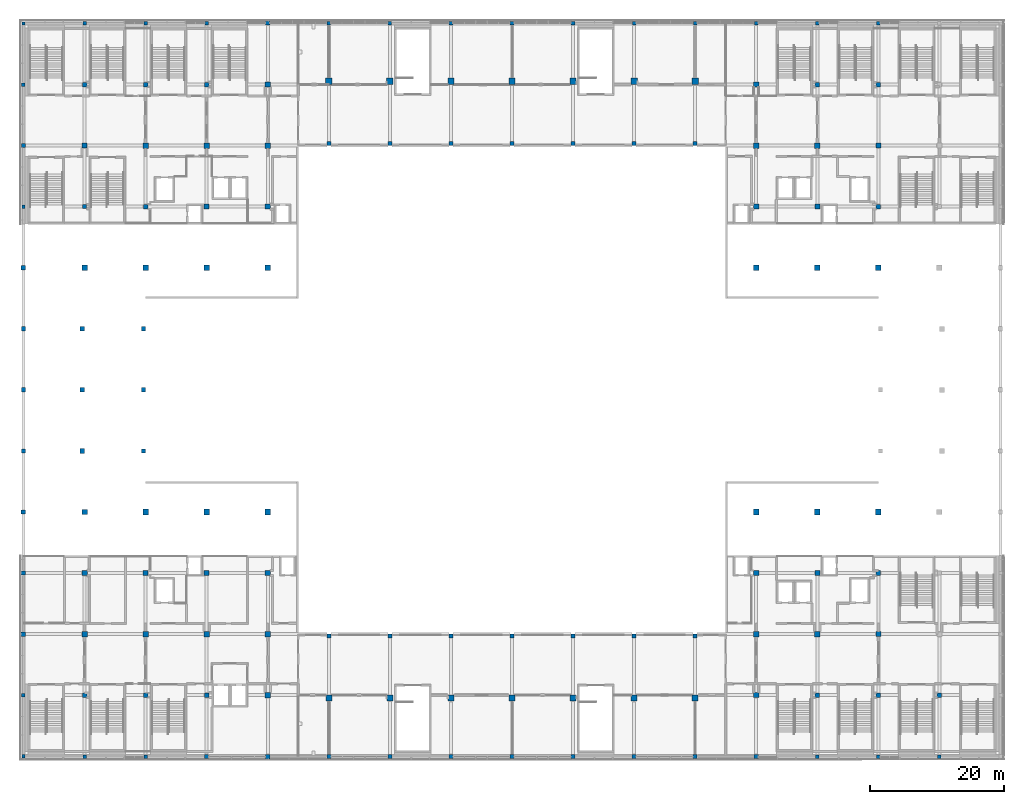
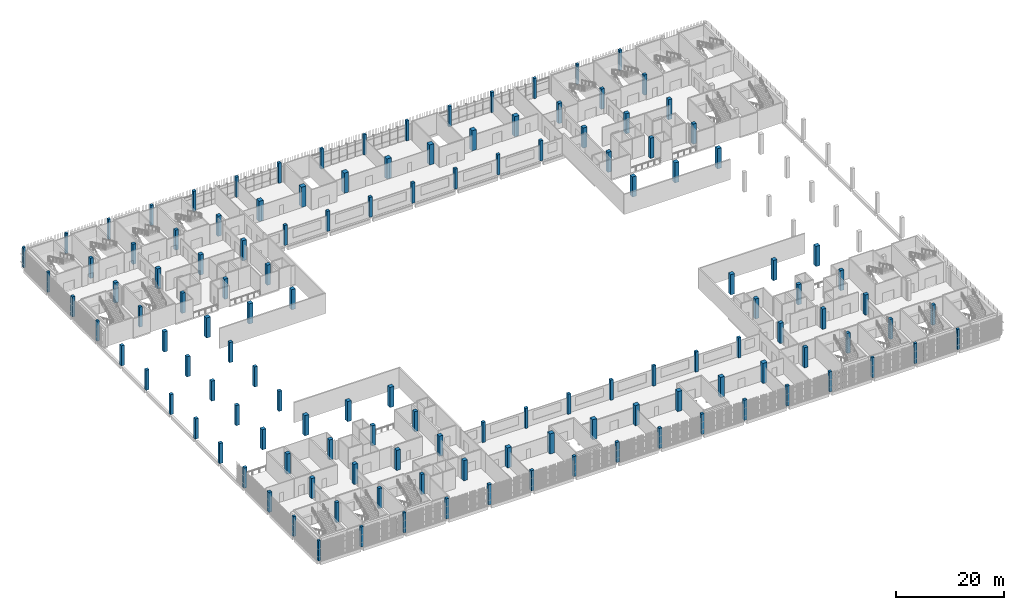
# One storey, part 1 of 104: 133 columns.
"""IFC4 building model written with IfcOpenShell, lengths in metres."""

from ifc_helpers import new_model, si_unit, direction, frame, origin, origin_2d, place, context, subcontext, project, spatial, rectangle, extrude, material, material_profile, profile_set, type_object, element, save


model = new_model("IFC4")

# Units and contexts
model_context = context("Model", 3, precision=1e-05, world=origin(), true_north=direction((0.0, 1.0)))
body_context = subcontext(model_context, "Body", "Model", "MODEL_VIEW")
ifc_project = project(units=[si_unit("LENGTHUNIT", "METRE"), si_unit("AREAUNIT", "SQUARE_METRE"), si_unit("VOLUMEUNIT", "CUBIC_METRE"), si_unit("PLANEANGLEUNIT", "RADIAN"), si_unit("MASSUNIT", "GRAM", prefix="KILO")], contexts=[model_context])

# Site, building, storey
site_placement = place(None, origin())
site = spatial("IfcSite", under=ifc_project, at=site_placement, CompositionType="ELEMENT")
building_placement = place(site_placement, origin())
building = spatial("IfcBuilding", under=site, at=building_placement, Name="Shirokan Park Arena", CompositionType="ELEMENT")
storey_placement = place(building_placement, frame((0.0, 0.0, 10.919921875)))
storey = spatial("IfcBuildingStorey", under=building, at=storey_placement, Name="L02", CompositionType="ELEMENT", Elevation=10.919921875)

# Columns
ifc_material = material(Name="Concrete C35", Category="concrete")
ifc_material_profile_1 = material_profile(ifc_material, rectangle(XDim=0.5, YDim=0.5, at=origin_2d()), Name="500x500")
ifc_profile_set_1 = profile_set([ifc_material_profile_1], Name="Concrete C35")
column_type_1 = type_object("IfcColumnType", Name="RC column 500x500", PredefinedType="COLUMN", material=ifc_profile_set_1)
for number, where, z_axis, x_axis, name in (
    (1, (0.0, 0.0, 0.0), (0.0, 0.0, 1.0), (1.0, 0.0, 0.0), "Column 1A L02"),
    (2, (-0.050048828125, 9.10009765625, 0.0), (0.0, 0.0, 1.0), (1.0, 0.0, 0.0), "Column 1B L02"),
    (3, (0.0, 81.89990234375, 0.0), (0.0, 0.0, 1.0), (1.0, 0.0, 0.0), "Column 1K L02"),
    (4, (-0.02490234375, 100.10009765625, 0.0), (0.0, 0.0, 1.0), (1.0, 0.0, 0.0), "Column 1M L02"),
    (5, (0.0, 109.199951171875, 0.0), (0.0, 0.0, 1.0), (1.0, 0.0, 0.0), "Column 1N L02"),
    (6, (9.10009765625, -0.050048828125, 0.0), (0.0, 0.0, 1.0), (1.0, 0.0, 0.0), "Column 2A L02"),
    (7, (9.10009765625, 109.22509765625, 0.0), (0.0, 0.0, 1.0), (1.0, 0.0, 0.0), "Column 2N L02"),
    (8, (18.199951171875, -0.050048828125, 0.0), (0.0, 0.0, 1.0), (1.0, 0.0, 0.0), "Column 3A L02"),
    (9, (18.199951171875, 109.22509765625, 0.0), (0.0, 0.0, 1.0), (1.0, 0.0, 0.0), "Column 3N L02"),
    (10, (27.300048828125, 109.22509765625, 0.0), (0.0, 0.0, 1.0), (1.0, 0.0, 0.0), "Column 4N L02"),
    (11, (118.300048828125, -0.050048828125, 0.0), (0.0, 0.0, 1.0), (1.0, 0.0, 0.0), "Column 14A L02"),
    (12, (118.300048828125, 109.22509765625, 0.0), (0.0, 0.0, 1.0), (1.0, 0.0, 0.0), "Column 14N L02"),
    (13, (127.39990234375, -0.050048828125, 0.0), (0.0, 0.0, 1.0), (1.0, 0.0, 0.0), "Column 15A L02"),
    (14, (127.39990234375, 109.22509765625, 0.0), (0.0, 0.0, 1.0), (1.0, 0.0, 0.0), "Column 15N L02"),
    (15, (136.5, -0.050048828125, 0.0), (0.0, 0.0, 1.0), (1.0, 0.0, 0.0), "Column 16A L02"),
):
    element("IfcColumn", number, at=place(storey_placement, frame(where, z_axis=z_axis, x_axis=x_axis)), inside=storey, type_object=column_type_1, Name=name, PredefinedType="COLUMN", context=body_context, shape_type="SweptSolid", body=[
        extrude(rectangle(XDim=0.5, YDim=0.5, at=origin_2d()), origin(), (0.0, 0.0, 1.0), 4.550048828125),
    ])
ifc_material_profile_2 = material_profile(ifc_material, rectangle(XDim=0.550048828125, YDim=0.550048828125, at=origin_2d()), Name="550x550")
ifc_profile_set_2 = profile_set([ifc_material_profile_2], Name="Concrete C35")
column_type_2 = type_object("IfcColumnType", Name="RC column 550x550", PredefinedType="COLUMN", material=ifc_profile_set_2)
for number, where, z_axis, x_axis, name in (
    (16, (45.5, 109.25, 0.0), (0.0, 0.0, 1.0), (1.0, 0.0, 0.0), "Column 6N L02"),
    (17, (54.60009765625, 109.22509765625, 0.0), (0.0, 0.0, 1.0), (1.0, 0.0, 0.0), "Column 7N L02"),
    (18, (63.699951171875, 109.25, 0.0), (0.0, 0.0, 1.0), (1.0, 0.0, 0.0), "Column 8N L02"),
    (19, (72.800048828125, 109.25, 0.0), (0.0, 0.0, 1.0), (1.0, 0.0, 0.0), "Column 9N L02"),
    (20, (81.89990234375, 109.22509765625, 0.0), (0.0, 0.0, 1.0), (1.0, 0.0, 0.0), "Column 10N L02"),
    (21, (91.0, 109.25, 0.0), (0.0, 0.0, 1.0), (1.0, 0.0, 0.0), "Column 11N L02"),
    (22, (100.10009765625, 109.25, 0.0), (0.0, 0.0, 1.0), (1.0, 0.0, 0.0), "Column 12N L02"),
    (23, (109.199951171875, 109.25, 0.0), (0.0, 0.0, 1.0), (1.0, 0.0, 0.0), "Column 13N L02"),
):
    element("IfcColumn", number, at=place(storey_placement, frame(where, z_axis=z_axis, x_axis=x_axis)), inside=storey, type_object=column_type_2, Name=name, PredefinedType="COLUMN", context=body_context, shape_type="SweptSolid", body=[
        extrude(rectangle(XDim=0.550048828125, YDim=0.550048828125, at=origin_2d()), origin(), (0.0, 0.0, 1.0), 4.550048828125),
    ])
ifc_material_profile_3 = material_profile(ifc_material, rectangle(XDim=0.60009765625, YDim=0.60009765625, at=origin_2d()), Name="600x600")
ifc_profile_set_3 = profile_set([ifc_material_profile_3], Name="Concrete C35")
column_type_3 = type_object("IfcColumnType", Name="RC column 600x600", PredefinedType="COLUMN", material=ifc_profile_set_3)
for number, where, z_axis, x_axis, name in (
    (24, (-0.02490234375, 91.0, 0.0), (0.0, 0.0, 1.0), (1.0, 0.0, 0.0), "Column 1L L02"),
    (25, (9.10009765625, 81.89990234375, 0.0), (0.0, 0.0, 1.0), (1.0, 0.0, 0.0), "Column 2K L02"),
    (26, (27.300048828125, -0.050048828125, 0.0), (0.0, 0.0, 1.0), (1.0, 0.0, 0.0), "Column 4A L02"),
    (27, (36.39990234375, 109.25, 0.0), (0.0, 0.0, 1.0), (1.0, 0.0, 0.0), "Column 5N L02"),
    (28, (45.5, -0.050048828125, 0.0), (0.0, 0.0, 1.0), (1.0, 0.0, 0.0), "Column 6A L02"),
    (29, (45.5, 17.89990234375, 0.0), (0.0, 0.0, 1.0), (1.0, 0.0, 0.0), "Column 6C L02"),
    (30, (45.5, 91.300048828125, 0.0), (0.0, 0.0, 1.0), (1.0, 0.0, 0.0), "Column 6L L02"),
    (31, (54.60009765625, -0.02490234375, 0.0), (0.0, 0.0, 1.0), (1.0, 0.0, 0.0), "Column 7A L02"),
    (32, (54.60009765625, 17.89990234375, 0.0), (0.0, 0.0, 1.0), (1.0, 0.0, 0.0), "Column 7C L02"),
    (33, (54.60009765625, 91.300048828125, 0.0), (0.0, 0.0, 1.0), (1.0, 0.0, 0.0), "Column 7L L02"),
    (34, (63.699951171875, -0.050048828125, 0.0), (0.0, 0.0, 1.0), (1.0, 0.0, 0.0), "Column 8A L02"),
    (35, (63.699951171875, 17.89990234375, 0.0), (0.0, 0.0, 1.0), (1.0, 0.0, 0.0), "Column 8C L02"),
    (36, (63.699951171875, 91.300048828125, 0.0), (0.0, 0.0, 1.0), (1.0, 0.0, 0.0), "Column 8L L02"),
    (37, (72.800048828125, -0.050048828125, 0.0), (0.0, 0.0, 1.0), (1.0, 0.0, 0.0), "Column 9A L02"),
    (38, (72.800048828125, 17.89990234375, 0.0), (0.0, 0.0, 1.0), (1.0, 0.0, 0.0), "Column 9C L02"),
    (39, (72.800048828125, 91.300048828125, 0.0), (0.0, 0.0, 1.0), (1.0, 0.0, 0.0), "Column 9L L02"),
    (40, (81.89990234375, -0.02490234375, 0.0), (0.0, 0.0, 1.0), (1.0, 0.0, 0.0), "Column 10A L02"),
    (41, (81.89990234375, 17.89990234375, 0.0), (0.0, 0.0, 1.0), (1.0, 0.0, 0.0), "Column 10C L02"),
    (42, (81.89990234375, 91.300048828125, 0.0), (0.0, 0.0, 1.0), (1.0, 0.0, 0.0), "Column 10L L02"),
    (43, (91.0, -0.050048828125, 0.0), (0.0, 0.0, 1.0), (1.0, 0.0, 0.0), "Column 11A L02"),
    (44, (91.0, 17.89990234375, 0.0), (0.0, 0.0, 1.0), (1.0, 0.0, 0.0), "Column 11C L02"),
    (45, (91.0, 91.300048828125, 0.0), (0.0, 0.0, 1.0), (1.0, 0.0, 0.0), "Column 11L L02"),
    (46, (100.10009765625, -0.050048828125, 0.0), (0.0, 0.0, 1.0), (1.0, 0.0, 0.0), "Column 12A L02"),
    (47, (100.10009765625, 17.89990234375, 0.0), (0.0, 0.0, 1.0), (1.0, 0.0, 0.0), "Column 12C L02"),
    (48, (100.10009765625, 91.300048828125, 0.0), (0.0, 0.0, 1.0), (1.0, 0.0, 0.0), "Column 12L L02"),
    (49, (109.199951171875, -0.050048828125, 0.0), (0.0, 0.0, 1.0), (1.0, 0.0, 0.0), "Column 13A L02"),
):
    element("IfcColumn", number, at=place(storey_placement, frame(where, z_axis=z_axis, x_axis=x_axis)), inside=storey, type_object=column_type_3, Name=name, PredefinedType="COLUMN", context=body_context, shape_type="SweptSolid", body=[
        extrude(rectangle(XDim=0.60009765625, YDim=0.60009765625, at=origin_2d()), origin(), (0.0, 0.0, 1.0), 4.550048828125),
    ])
ifc_material_profile_4 = material_profile(ifc_material, rectangle(XDim=0.64990234375, YDim=0.64990234375, at=origin_2d()), Name="650x650")
ifc_profile_set_4 = profile_set([ifc_material_profile_4], Name="Concrete C35")
column_type_4 = type_object("IfcColumnType", Name="RC column 650x650", PredefinedType="COLUMN", material=ifc_profile_set_4)
for number, where, z_axis, x_axis, name in (
    (50, (-0.050048828125, 18.199951171875, 0.0), (0.0, 0.0, 1.0), (1.0, 0.0, 0.0), "Column 1C L02"),
    (51, (-0.050048828125, 27.300048828125, 0.0), (0.0, 0.0, 1.0), (1.0, 0.0, 0.0), "Column 1D L02"),
    (52, (-0.02490234375, 36.39990234375, 0.0), (0.0, 0.0, 1.0), (1.0, 0.0, 0.0), "Column 1E L02"),
    (53, (0.0, 45.5, 0.0), (0.0, 0.0, 1.0), (1.0, 0.0, 0.0), "Column 1F L02"),
    (54, (0.0, 54.60009765625, 0.0), (0.0, 0.0, 1.0), (1.0, 0.0, 0.0), "Column 1G L02"),
    (55, (0.0, 63.699951171875, 0.0), (0.0, 0.0, 1.0), (1.0, 0.0, 0.0), "Column 1H L02"),
    (56, (-0.02490234375, 72.800048828125, 0.0), (0.0, 0.0, 1.0), (1.0, 0.0, 0.0), "Column 1J L02"),
    (57, (9.10009765625, 9.10009765625, 0.0), (0.0, 0.0, 1.0), (1.0, 0.0, 0.0), "Column 2B L02"),
    (58, (9.10009765625, 100.10009765625, 0.0), (0.0, 0.0, 1.0), (1.0, 0.0, 0.0), "Column 2M L02"),
    (59, (18.199951171875, 9.10009765625, 0.0), (0.0, 0.0, 1.0), (1.0, 0.0, 0.0), "Column 3B L02"),
    (60, (17.875, 45.5, 0.0), (0.0, 0.0, 1.0), (1.0, 0.0, 0.0), "Column 3F L02"),
    (61, (17.875, 54.60009765625, 0.0), (0.0, 0.0, 1.0), (1.0, 0.0, 0.0), "Column 3G L02"),
    (62, (17.875, 63.699951171875, 0.0), (0.0, 0.0, 1.0), (1.0, 0.0, 0.0), "Column 3H L02"),
    (63, (18.199951171875, 100.10009765625, 0.0), (0.0, 0.0, 1.0), (1.0, 0.0, 0.0), "Column 3M L02"),
    (64, (27.300048828125, 100.10009765625, 0.0), (0.0, 0.0, 1.0), (1.0, 0.0, 0.0), "Column 4M L02"),
    (65, (36.39990234375, -0.050048828125, 0.0), (0.0, 0.0, 1.0), (1.0, 0.0, 0.0), "Column 5A L02"),
    (66, (118.300048828125, 9.10009765625, 0.0), (0.0, 0.0, 1.0), (1.0, 0.0, 0.0), "Column 14B L02"),
    (67, (118.300048828125, 100.10009765625, 0.0), (0.0, 0.0, 1.0), (1.0, 0.0, 0.0), "Column 14M L02"),
    (68, (127.39990234375, 9.10009765625, 0.0), (0.0, 0.0, 1.0), (1.0, 0.0, 0.0), "Column 15B L02"),
    (69, (127.39990234375, 100.10009765625, 0.0), (0.0, 0.0, 1.0), (1.0, 0.0, 0.0), "Column 15M L02"),
    (70, (136.5, 9.10009765625, 0.0), (0.0, 0.0, 1.0), (1.0, 0.0, 0.0), "Column 16B L02"),
):
    element("IfcColumn", number, at=place(storey_placement, frame(where, z_axis=z_axis, x_axis=x_axis)), inside=storey, type_object=column_type_4, Name=name, PredefinedType="COLUMN", context=body_context, shape_type="SweptSolid", body=[
        extrude(rectangle(XDim=0.64990234375, YDim=0.64990234375, at=origin_2d()), origin(), (0.0, 0.0, 1.0), 4.550048828125),
    ])
ifc_material_profile_5 = material_profile(ifc_material, rectangle(XDim=0.699951171875, YDim=0.699951171875, at=origin_2d()), Name="700x700")
ifc_profile_set_5 = profile_set([ifc_material_profile_5], Name="Concrete C35")
column_type_5 = type_object("IfcColumnType", Name="RC column 700x700", PredefinedType="COLUMN", material=ifc_profile_set_5)
for number, where, z_axis, x_axis, name in (
    (71, (8.75, 45.5, 0.0), (0.0, 0.0, 1.0), (1.0, 0.0, 0.0), "Column 2F L02"),
    (72, (8.75, 54.60009765625, 0.0), (0.0, 0.0, 1.0), (1.0, 0.0, 0.0), "Column 2G L02"),
    (73, (8.75, 63.699951171875, 0.0), (0.0, 0.0, 1.0), (1.0, 0.0, 0.0), "Column 2H L02"),
    (74, (18.199951171875, 81.89990234375, 0.0), (0.0, 0.0, 1.0), (1.0, 0.0, 0.0), "Column 3K L02"),
    (75, (27.300048828125, 9.10009765625, 0.0), (0.0, 0.0, 1.0), (1.0, 0.0, 0.0), "Column 4B L02"),
    (76, (127.39990234375, 27.300048828125, 0.0), (0.0, 0.0, 1.0), (1.0, 0.0, 0.0), "Column 15D L02"),
    (77, (127.39990234375, 81.89990234375, 0.0), (0.0, 0.0, 1.0), (1.0, 0.0, 0.0), "Column 15K L02"),
):
    element("IfcColumn", number, at=place(storey_placement, frame(where, z_axis=z_axis, x_axis=x_axis)), inside=storey, type_object=column_type_5, Name=name, PredefinedType="COLUMN", context=body_context, shape_type="SweptSolid", body=[
        extrude(rectangle(XDim=0.699951171875, YDim=0.699951171875, at=origin_2d()), origin(), (0.0, 0.0, 1.0), 4.550048828125),
    ])
ifc_material_profile_6 = material_profile(ifc_material, rectangle(XDim=0.75, YDim=0.75, at=origin_2d()), Name="750x750")
ifc_profile_set_6 = profile_set([ifc_material_profile_6], Name="Concrete C35")
column_type_6 = type_object("IfcColumnType", Name="RC column 750x750", PredefinedType="COLUMN", material=ifc_profile_set_6)
for number, where, z_axis, x_axis, name in (
    (78, (9.10009765625, 91.0, 0.0), (0.0, 0.0, 1.0), (1.0, 0.0, 0.0), "Column 2L L02"),
    (79, (18.199951171875, 27.300048828125, 0.0), (0.0, 0.0, 1.0), (1.0, 0.0, 0.0), "Column 3D L02"),
    (80, (27.300048828125, 27.300048828125, 0.0), (0.0, 0.0, 1.0), (1.0, 0.0, 0.0), "Column 4D L02"),
    (81, (27.300048828125, 81.89990234375, 0.0), (0.0, 0.0, 1.0), (1.0, 0.0, 0.0), "Column 4K L02"),
    (82, (36.39990234375, 27.300048828125, 0.0), (0.0, 0.0, 1.0), (1.0, 0.0, 0.0), "Column 5D L02"),
    (83, (36.39990234375, 81.89990234375, 0.0), (0.0, 0.0, 1.0), (1.0, 0.0, 0.0), "Column 5K L02"),
    (84, (36.39990234375, 100.10009765625, 0.0), (0.0, 0.0, 1.0), (1.0, 0.0, 0.0), "Column 5M L02"),
    (85, (109.199951171875, 9.10009765625, 0.0), (0.0, 0.0, 1.0), (1.0, 0.0, 0.0), "Column 13B L02"),
    (86, (109.199951171875, 27.300048828125, 0.0), (0.0, 0.0, 1.0), (1.0, 0.0, 0.0), "Column 13D L02"),
    (87, (109.199951171875, 81.89990234375, 0.0), (0.0, 0.0, 1.0), (1.0, 0.0, 0.0), "Column 13K L02"),
    (88, (109.199951171875, 100.10009765625, 0.0), (0.0, 0.0, 1.0), (1.0, 0.0, 0.0), "Column 13M L02"),
    (89, (118.300048828125, 27.300048828125, 0.0), (0.0, 0.0, 1.0), (1.0, 0.0, 0.0), "Column 14D L02"),
    (90, (118.300048828125, 81.89990234375, 0.0), (0.0, 0.0, 1.0), (1.0, 0.0, 0.0), "Column 14K L02"),
    (91, (127.39990234375, 18.199951171875, 0.0), (0.0, 0.0, 1.0), (1.0, 0.0, 0.0), "Column 15C L02"),
    (92, (127.39990234375, 91.0, 0.0), (0.0, 0.0, 1.0), (1.0, 0.0, 0.0), "Column 15L L02"),
):
    element("IfcColumn", number, at=place(storey_placement, frame(where, z_axis=z_axis, x_axis=x_axis)), inside=storey, type_object=column_type_6, Name=name, PredefinedType="COLUMN", context=body_context, shape_type="SweptSolid", body=[
        extrude(rectangle(XDim=0.75, YDim=0.75, at=origin_2d()), origin(), (0.0, 0.0, 1.0), 4.550048828125),
    ])
ifc_material_profile_7 = material_profile(ifc_material, rectangle(XDim=0.800048828125, YDim=0.800048828125, at=origin_2d()), Name="800x800")
ifc_profile_set_7 = profile_set([ifc_material_profile_7], Name="Concrete C35")
column_type_7 = type_object("IfcColumnType", Name="RC column 800x800", PredefinedType="COLUMN", material=ifc_profile_set_7)
for number, where, z_axis, x_axis, name in (
    (93, (9.10009765625, 18.199951171875, 0.0), (0.0, 0.0, 1.0), (1.0, 0.0, 0.0), "Column 2C L02"),
    (94, (9.10009765625, 27.300048828125, 0.0), (0.0, 0.0, 1.0), (1.0, 0.0, 0.0), "Column 2D L02"),
    (95, (9.10009765625, 36.39990234375, 0.0), (0.0, 0.0, 1.0), (1.0, 0.0, 0.0), "Column 2E L02"),
    (96, (9.10009765625, 72.800048828125, 0.0), (0.0, 0.0, 1.0), (1.0, 0.0, 0.0), "Column 2J L02"),
    (97, (18.199951171875, 18.199951171875, 0.0), (0.0, 0.0, 1.0), (1.0, 0.0, 0.0), "Column 3C L02"),
    (98, (18.199951171875, 91.0, 0.0), (0.0, 0.0, 1.0), (1.0, 0.0, 0.0), "Column 3L L02"),
    (99, (27.300048828125, 18.199951171875, 0.0), (0.0, 0.0, 1.0), (1.0, 0.0, 0.0), "Column 4C L02"),
    (100, (27.300048828125, 91.0, 0.0), (0.0, 0.0, 1.0), (1.0, 0.0, 0.0), "Column 4L L02"),
    (101, (36.39990234375, 9.10009765625, 0.0), (0.0, 0.0, 1.0), (1.0, 0.0, 0.0), "Column 5B L02"),
    (102, (36.39990234375, 18.199951171875, 0.0), (0.0, 0.0, 1.0), (1.0, 0.0, 0.0), "Column 5C L02"),
    (103, (36.39990234375, 91.0, 0.0), (0.0, 0.0, 1.0), (1.0, 0.0, 0.0), "Column 5L L02"),
    (104, (109.199951171875, 18.199951171875, 0.0), (0.0, 0.0, 1.0), (1.0, 0.0, 0.0), "Column 13C L02"),
    (105, (109.199951171875, 91.0, 0.0), (0.0, 0.0, 1.0), (1.0, 0.0, 0.0), "Column 13L L02"),
    (106, (118.300048828125, 18.199951171875, 0.0), (0.0, 0.0, 1.0), (1.0, 0.0, 0.0), "Column 14C L02"),
    (107, (118.300048828125, 91.0, 0.0), (0.0, 0.0, 1.0), (1.0, 0.0, 0.0), "Column 14L L02"),
):
    element("IfcColumn", number, at=place(storey_placement, frame(where, z_axis=z_axis, x_axis=x_axis)), inside=storey, type_object=column_type_7, Name=name, PredefinedType="COLUMN", context=body_context, shape_type="SweptSolid", body=[
        extrude(rectangle(XDim=0.800048828125, YDim=0.800048828125, at=origin_2d()), origin(), (0.0, 0.0, 1.0), 4.550048828125),
    ])
ifc_material_profile_8 = material_profile(ifc_material, rectangle(XDim=0.85009765625, YDim=0.85009765625, at=origin_2d()), Name="850x850")
ifc_profile_set_8 = profile_set([ifc_material_profile_8], Name="Concrete C35")
column_type_8 = type_object("IfcColumnType", Name="RC column 850x850", PredefinedType="COLUMN", material=ifc_profile_set_8)
for number, where, z_axis, x_axis, name in (
    (108, (18.199951171875, 36.39990234375, 0.0), (0.0, 0.0, 1.0), (1.0, 0.0, 0.0), "Column 3E L02"),
    (109, (18.199951171875, 72.800048828125, 0.0), (0.0, 0.0, 1.0), (1.0, 0.0, 0.0), "Column 3J L02"),
    (110, (27.300048828125, 36.39990234375, 0.0), (0.0, 0.0, 1.0), (1.0, 0.0, 0.0), "Column 4E L02"),
    (111, (27.300048828125, 72.800048828125, 0.0), (0.0, 0.0, 1.0), (1.0, 0.0, 0.0), "Column 4J L02"),
    (112, (36.39990234375, 36.39990234375, 0.0), (0.0, 0.0, 1.0), (1.0, 0.0, 0.0), "Column 5E L02"),
    (113, (36.39990234375, 72.800048828125, 0.0), (0.0, 0.0, 1.0), (1.0, 0.0, 0.0), "Column 5J L02"),
    (114, (109.199951171875, 36.39990234375, 0.0), (0.0, 0.0, 1.0), (1.0, 0.0, 0.0), "Column 13E L02"),
    (115, (109.199951171875, 72.800048828125, 0.0), (0.0, 0.0, 1.0), (1.0, 0.0, 0.0), "Column 13J L02"),
    (116, (118.300048828125, 36.39990234375, 0.0), (0.0, 0.0, 1.0), (1.0, 0.0, 0.0), "Column 14E L02"),
    (117, (118.300048828125, 72.800048828125, 0.0), (0.0, 0.0, 1.0), (1.0, 0.0, 0.0), "Column 14J L02"),
    (118, (127.39990234375, 36.39990234375, 0.0), (0.0, 0.0, 1.0), (1.0, 0.0, 0.0), "Column 15E L02"),
    (119, (127.39990234375, 72.800048828125, 0.0), (0.0, 0.0, 1.0), (1.0, 0.0, 0.0), "Column 15J L02"),
):
    element("IfcColumn", number, at=place(storey_placement, frame(where, z_axis=z_axis, x_axis=x_axis)), inside=storey, type_object=column_type_8, Name=name, PredefinedType="COLUMN", context=body_context, shape_type="SweptSolid", body=[
        extrude(rectangle(XDim=0.85009765625, YDim=0.85009765625, at=origin_2d()), origin(), (0.0, 0.0, 1.0), 4.550048828125),
    ])
ifc_material_profile_9 = material_profile(ifc_material, rectangle(XDim=0.89990234375, YDim=0.89990234375, at=origin_2d()), Name="900x900")
ifc_profile_set_9 = profile_set([ifc_material_profile_9], Name="Concrete C35")
column_type_9 = type_object("IfcColumnType", Name="RC column 900x900", PredefinedType="COLUMN", material=ifc_profile_set_9)
for number, where, z_axis, x_axis, name in (
    (120, (45.5, 8.64990234375, 0.0), (0.0, 0.0, 1.0), (1.0, 0.0, 0.0), "Column 6B L02"),
    (121, (54.60009765625, 8.64990234375, 0.0), (0.0, 0.0, 1.0), (1.0, 0.0, 0.0), "Column 7B L02"),
    (122, (63.699951171875, 8.64990234375, 0.0), (0.0, 0.0, 1.0), (1.0, 0.0, 0.0), "Column 8B L02"),
    (123, (72.800048828125, 8.64990234375, 0.0), (0.0, 0.0, 1.0), (1.0, 0.0, 0.0), "Column 9B L02"),
    (124, (81.89990234375, 8.64990234375, 0.0), (0.0, 0.0, 1.0), (1.0, 0.0, 0.0), "Column 10B L02"),
    (125, (91.0, 8.64990234375, 0.0), (0.0, 0.0, 1.0), (1.0, 0.0, 0.0), "Column 11B L02"),
    (126, (100.10009765625, 8.64990234375, 0.0), (0.0, 0.0, 1.0), (1.0, 0.0, 0.0), "Column 12B L02"),
):
    element("IfcColumn", number, at=place(storey_placement, frame(where, z_axis=z_axis, x_axis=x_axis)), inside=storey, type_object=column_type_9, Name=name, PredefinedType="COLUMN", context=body_context, shape_type="SweptSolid", body=[
        extrude(rectangle(XDim=0.89990234375, YDim=0.89990234375, at=origin_2d()), origin(), (0.0, 0.0, 1.0), 4.550048828125),
    ])
ifc_material_profile_10 = material_profile(ifc_material, rectangle(XDim=0.949951171875, YDim=0.949951171875, at=origin_2d()), Name="950x950")
ifc_profile_set_10 = profile_set([ifc_material_profile_10], Name="Concrete C35")
column_type_10 = type_object("IfcColumnType", Name="RC column 950x950", PredefinedType="COLUMN", material=ifc_profile_set_10)
for number, where, z_axis, x_axis, name in (
    (127, (45.5, 100.574951171875, 0.0), (0.0, 0.0, 1.0), (1.0, 0.0, 0.0), "Column 6M L02"),
    (128, (54.60009765625, 100.574951171875, 0.0), (0.0, 0.0, 1.0), (1.0, 0.0, 0.0), "Column 7M L02"),
    (129, (63.699951171875, 100.574951171875, 0.0), (0.0, 0.0, 1.0), (1.0, 0.0, 0.0), "Column 8M L02"),
    (130, (72.800048828125, 100.574951171875, 0.0), (0.0, 0.0, 1.0), (1.0, 0.0, 0.0), "Column 9M L02"),
    (131, (81.89990234375, 100.574951171875, 0.0), (0.0, 0.0, 1.0), (1.0, 0.0, 0.0), "Column 10M L02"),
    (132, (91.0, 100.574951171875, 0.0), (0.0, 0.0, 1.0), (1.0, 0.0, 0.0), "Column 11M L02"),
    (133, (100.10009765625, 100.574951171875, 0.0), (0.0, 0.0, 1.0), (1.0, 0.0, 0.0), "Column 12M L02"),
):
    element("IfcColumn", number, at=place(storey_placement, frame(where, z_axis=z_axis, x_axis=x_axis)), inside=storey, type_object=column_type_10, Name=name, PredefinedType="COLUMN", context=body_context, shape_type="SweptSolid", body=[
        extrude(rectangle(XDim=0.949951171875, YDim=0.949951171875, at=origin_2d()), origin(), (0.0, 0.0, 1.0), 4.550048828125),
    ])

save(model, "model.ifc")
